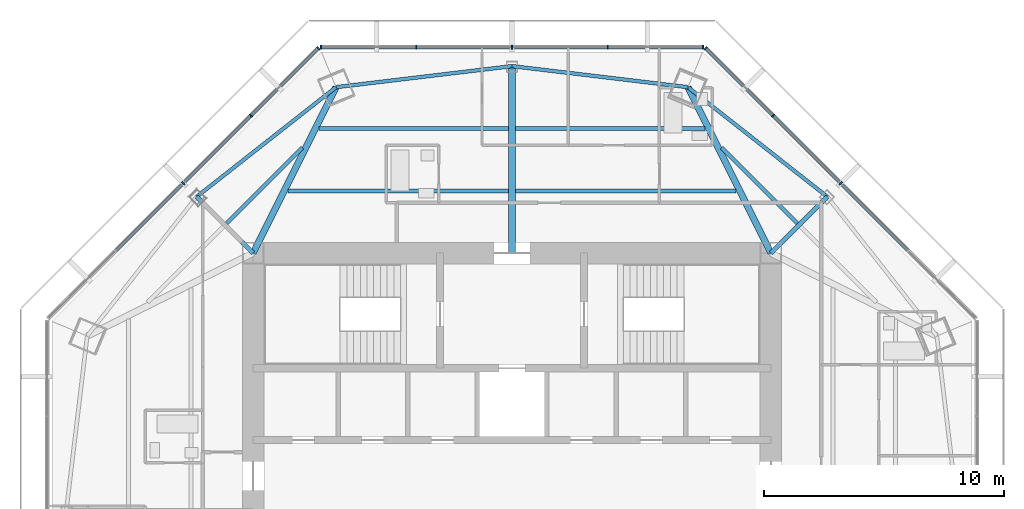
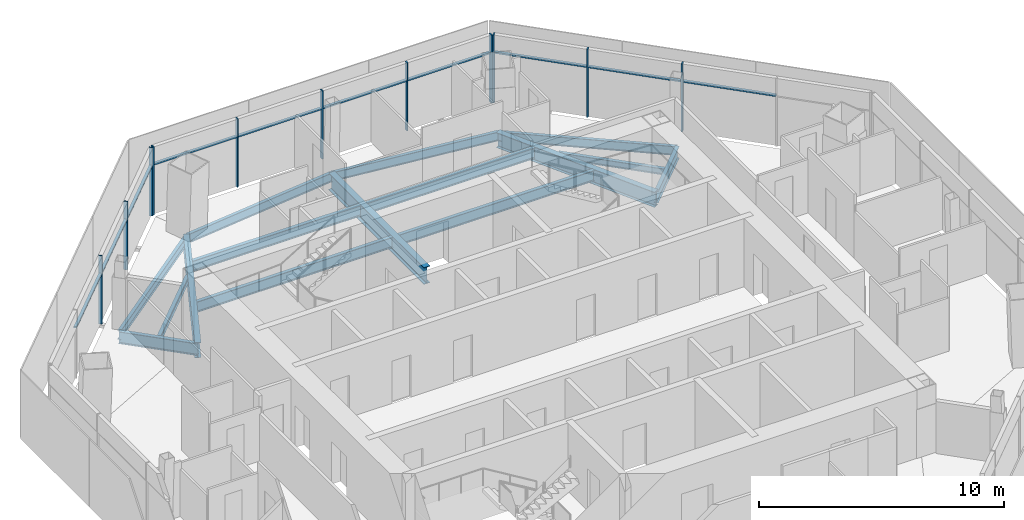
# One storey, part 6 of 15: 21 members, 15 beams, 3 elements without a shape of their own.
"""IFC4 building model written with IfcOpenShell, lengths in metres."""

from ifc_helpers import new_model, si_unit, direction, frame, origin, origin_2d, place, context, subcontext, project, spatial, rectangle, i_section, extrude, source, transform, mapped, material, material_profile, profile_set, type_object, type_shapes, element, aggregate, save


model = new_model("IFC4")

# Units and contexts
model_context = context("Model", 3, precision=1e-05, world=origin(), true_north=direction((0.0, 1.0)))
body_context = subcontext(model_context, "Body", "Model", "MODEL_VIEW")
ifc_project = project(units=[si_unit("LENGTHUNIT", "METRE"), si_unit("AREAUNIT", "SQUARE_METRE"), si_unit("VOLUMEUNIT", "CUBIC_METRE"), si_unit("PLANEANGLEUNIT", "RADIAN"), si_unit("MASSUNIT", "GRAM", prefix="KILO")], contexts=[model_context])

# Site, building, storey
site_placement = place(None, origin())
site = spatial("IfcSite", under=ifc_project, at=site_placement, CompositionType="ELEMENT")
building_placement = place(site_placement, origin())
building = spatial("IfcBuilding", under=site, at=building_placement, Name="Mashrafa Tower", CompositionType="ELEMENT")
storey_placement = place(building_placement, frame((0.0, 0.0, 304.800048828125)))
storey = spatial("IfcBuildingStorey", under=building, at=storey_placement, Name="L75", CompositionType="ELEMENT", Elevation=304.800048828125)

# Beams
ifc_material_1 = material(Name="Steel ASTM A992", Category="steel")
ifc_material_profile_1 = material_profile(ifc_material_1, i_section(OverallWidth=0.164794921875, OverallDepth=0.309814453125, WebThickness=0.005859375, FlangeThickness=0.009765625, FilletRadius=0.007568359375, at=origin_2d()), Name="W12X26")
ifc_profile_set_1 = profile_set([ifc_material_profile_1], Name="Steel ASTM A992")
beam_type_1 = type_object("IfcBeamType", Name="Beam W12X26", PredefinedType="BEAM", material=ifc_profile_set_1)
for number, where, z_axis, x_axis, name in (
    (1, (-11.912353515625, 12.038330078125, -0.35498046875), (0.707079511879, 0.707134049443, 0.0), (-0.707134049443, 0.707079511879, 0.0), "Floor beam L75 007"),
    (2, (8.7470703125, 15.203857421875, -0.35498046875), (0.707079511879, -0.707134049443, 0.0), (0.707134049443, 0.707079511879, 0.0), "Floor beam L75 016"),
):
    element("IfcBeam", number, at=place(storey_placement, frame(where, z_axis=z_axis, x_axis=x_axis)), inside=storey, type_object=beam_type_1, Name=name, PredefinedType="BEAM", context=body_context, shape_type="SweptSolid", body=[
        extrude(i_section(OverallWidth=0.164794921875, OverallDepth=0.309814453125, WebThickness=0.005859375, FlangeThickness=0.009765625, FilletRadius=0.007568359375, at=origin_2d()), origin(), (0.0, 0.0, 1.0), 4.4765625),
    ])
ifc_material_2 = material(Name="Steel ASTM A992", Category="steel")
ifc_material_profile_2 = material_profile(ifc_material_2, i_section(OverallWidth=0.15234375, OverallDepth=0.449462890625, WebThickness=0.007568359375, FlangeThickness=0.0107421875, FilletRadius=0.01025390625, at=origin_2d()), Name="W18X35")
ifc_profile_set_2 = profile_set([ifc_material_profile_2], Name="Steel ASTM A992")
beam_type_2 = type_object("IfcBeamType", Name="Beam W18X35", PredefinedType="BEAM", material=ifc_profile_set_2)
for number, where, z_axis, x_axis, name in (
    (3, (-7.33984375, 17.7197265625, -0.4248046875), (-0.786118883034, -0.61807532044, 0.0), (0.61807532044, -0.786118883034, 0.0), "Spandrel beam L75 047"),
    (4, (0.0, 18.597900390625, -0.4248046875), (-0.99291850392, -0.118797493966, 0.0), (0.118797493966, -0.99291850392, 0.0), "Spandrel beam L75 049"),
    (5, (7.33984375, 17.7197265625, -0.4248046875), (-0.99291850392, 0.118797493966, 0.0), (-0.118797493966, -0.99291850392, 0.0), "Spandrel beam L75 051"),
    (6, (13.15087890625, 13.15087890625, -0.4248046875), (-0.786118883034, 0.61807532044, 0.0), (-0.61807532044, -0.786118883034, 0.0), "Spandrel beam L75 053"),
):
    element("IfcBeam", number, at=place(storey_placement, frame(where, z_axis=z_axis, x_axis=x_axis)), inside=storey, type_object=beam_type_2, Name=name, PredefinedType="BEAM", context=body_context, shape_type="SweptSolid", body=[
        extrude(i_section(OverallWidth=0.15234375, OverallDepth=0.449462890625, WebThickness=0.007568359375, FlangeThickness=0.0107421875, FilletRadius=0.01025390625, at=origin_2d()), origin(), (0.0, 0.0, 1.0), 7.39208984375),
    ])
ifc_material_3 = material(Name="Steel ASTM A992", Category="steel")
ifc_material_profile_3 = material_profile(ifc_material_3, i_section(OverallWidth=0.165771484375, OverallDepth=0.5283203125, WebThickness=0.009765625, FlangeThickness=0.013671875, FilletRadius=0.012939453125, at=origin_2d()), Name="W21X50")
ifc_profile_set_3 = profile_set([ifc_material_profile_3], Name="Steel ASTM A992")
beam_type_3 = type_object("IfcBeamType", Name="Beam W21X50", PredefinedType="BEAM", material=ifc_profile_set_3)
beam_1_placement = place(storey_placement, frame((-9.35107421875, 13.3994140625, -0.464111328125), z_axis=(1.0, 0.0, 0.0), x_axis=(0.0, 1.0, 0.0)))
element("IfcBeam", 7, at=beam_1_placement, inside=storey, type_object=beam_type_3, Name="Floor beam L75 008", PredefinedType="BEAM", context=body_context, shape_type="SweptSolid", body=[
    extrude(i_section(OverallWidth=0.165771484375, OverallDepth=0.5283203125, WebThickness=0.009765625, FlangeThickness=0.013671875, FilletRadius=0.012939453125, at=origin_2d()), origin(), (0.0, 0.0, 1.0), 9.205078125),
])
beam_2_placement = place(storey_placement, frame((-8.05126953125, 15.998779296875, -0.464111328125), z_axis=(1.0, 0.0, 0.0), x_axis=(0.0, 1.0, 0.0)))
element("IfcBeam", 8, at=beam_2_placement, inside=storey, type_object=beam_type_3, Name="Floor beam L75 010", PredefinedType="BEAM", context=body_context, shape_type="SweptSolid", body=[
    extrude(i_section(OverallWidth=0.165771484375, OverallDepth=0.5283203125, WebThickness=0.009765625, FlangeThickness=0.013671875, FilletRadius=0.012939453125, at=origin_2d()), origin(), (0.0, 0.0, 1.0), 7.9052734375),
])
beam_3_placement = place(storey_placement, frame((0.14599609375, 13.3994140625, -0.464111328125), z_axis=(1.0, 0.0, 0.0), x_axis=(0.0, 1.0, 0.0)))
element("IfcBeam", 9, at=beam_3_placement, inside=storey, type_object=beam_type_3, Name="Floor beam L75 013", PredefinedType="BEAM", context=body_context, shape_type="SweptSolid", body=[
    extrude(i_section(OverallWidth=0.165771484375, OverallDepth=0.5283203125, WebThickness=0.009765625, FlangeThickness=0.013671875, FilletRadius=0.012939453125, at=origin_2d()), origin(), (0.0, 0.0, 1.0), 9.205078125),
])
beam_4_placement = place(storey_placement, frame((0.14599609375, 15.998779296875, -0.464111328125), z_axis=(1.0, 0.0, 0.0), x_axis=(0.0, 1.0, 0.0)))
element("IfcBeam", 10, at=beam_4_placement, inside=storey, type_object=beam_type_3, Name="Floor beam L75 014", PredefinedType="BEAM", context=body_context, shape_type="SweptSolid", body=[
    extrude(i_section(OverallWidth=0.165771484375, OverallDepth=0.5283203125, WebThickness=0.009765625, FlangeThickness=0.013671875, FilletRadius=0.012939453125, at=origin_2d()), origin(), (0.0, 0.0, 1.0), 7.9052734375),
])
ifc_material_4 = material(Name="Steel ASTM A992", Category="steel")
ifc_material_profile_4 = material_profile(ifc_material_4, i_section(OverallWidth=0.177978515625, OverallDepth=0.599365234375, WebThickness=0.010009765625, FlangeThickness=0.012939453125, FilletRadius=0.012939453125, at=origin_2d()), Name="W24X55")
ifc_profile_set_4 = profile_set([ifc_material_profile_4], Name="Steel ASTM A992")
beam_type_4 = type_object("IfcBeamType", Name="Beam W24X55", PredefinedType="BEAM", material=ifc_profile_set_4)
for number, where, z_axis, x_axis, name in (
    (11, (-10.800048828125, 10.800048828125, -0.499755859375), (-0.707106781187, 0.707106781187, 0.0), (-0.707106781187, -0.707106781187, 0.0), "Radial girder L75 030"),
    (12, (10.800048828125, 10.800048828125, -0.499755859375), (0.707106781187, 0.707106781187, 0.0), (-0.707106781187, 0.707106781187, 0.0), "Radial girder L75 039"),
):
    element("IfcBeam", number, at=place(storey_placement, frame(where, z_axis=z_axis, x_axis=x_axis)), inside=storey, type_object=beam_type_4, Name=name, PredefinedType="BEAM", context=body_context, shape_type="SweptSolid", body=[
        extrude(i_section(OverallWidth=0.177978515625, OverallDepth=0.599365234375, WebThickness=0.010009765625, FlangeThickness=0.012939453125, FilletRadius=0.012939453125, at=origin_2d()), origin(), (0.0, 0.0, 1.0), 3.324462890625),
    ])
ifc_material_5 = material(Name="Steel ASTM A992", Category="steel")
ifc_material_profile_5 = material_profile(ifc_material_5, i_section(OverallWidth=0.2666015625, OverallDepth=0.75439453125, WebThickness=0.01318359375, FlangeThickness=0.01708984375, FilletRadius=0.0166015625, at=origin_2d()), Name="W30X99")
ifc_profile_set_5 = profile_set([ifc_material_profile_5], Name="Steel ASTM A992")
beam_type_5 = type_object("IfcBeamType", Name="Beam W30X99", PredefinedType="BEAM", material=ifc_profile_set_5)
for number, where, z_axis, x_axis, name in (
    (13, (-10.800048828125, 10.800048828125, -0.5771484375), (0.447251463, 0.894408256248, 0.0), (-0.894408256248, 0.447251463, 0.0), "Radial girder L75 031"),
    (14, (10.800048828125, 10.800048828125, -0.5771484375), (-0.447251463, 0.894408256248, 0.0), (-0.894408256248, -0.447251463, 0.0), "Radial girder L75 038"),
):
    element("IfcBeam", number, at=place(storey_placement, frame(where, z_axis=z_axis, x_axis=x_axis)), inside=storey, type_object=beam_type_5, Name=name, PredefinedType="BEAM", context=body_context, shape_type="SweptSolid", body=[
        extrude(i_section(OverallWidth=0.2666015625, OverallDepth=0.75439453125, WebThickness=0.01318359375, FlangeThickness=0.01708984375, FilletRadius=0.0166015625, at=origin_2d()), origin(), (0.0, 0.0, 1.0), 7.736572265625),
    ])
ifc_material_6 = material(Name="Steel ASTM A992", Category="steel")
ifc_material_profile_6 = material_profile(ifc_material_6, i_section(OverallWidth=0.2919921875, OverallDepth=0.8408203125, WebThickness=0.0146484375, FlangeThickness=0.021728515625, FilletRadius=0.017333984375, at=origin_2d()), Name="W33X130")
ifc_profile_set_6 = profile_set([ifc_material_profile_6], Name="Steel ASTM A992")
beam_type_6 = type_object("IfcBeamType", Name="Beam W33X130", PredefinedType="BEAM", material=ifc_profile_set_6)
beam_5_placement = place(storey_placement, frame((0.0, 10.800048828125, -0.620361328125), z_axis=(0.0, 1.0, 0.0), x_axis=(-1.0, 0.0, 0.0)))
element("IfcBeam", 15, at=beam_5_placement, inside=storey, type_object=beam_type_6, Name="Radial girder L75 033", PredefinedType="BEAM", context=body_context, shape_type="SweptSolid", body=[
    extrude(i_section(OverallWidth=0.2919921875, OverallDepth=0.8408203125, WebThickness=0.0146484375, FlangeThickness=0.021728515625, FilletRadius=0.017333984375, at=origin_2d()), origin(), (0.0, 0.0, 1.0), 7.7978515625),
])

# Curtain wall, members
ifc_material_7 = material(Name="Unitised aluminium curtain wall", Category="aluminium")
curtain_wall_type = type_object("IfcCurtainWallType", Name="Apartment curtain wall, zone 4 CW-D 160 deep", PredefinedType="NOTDEFINED", material=ifc_material_7)
curtain_wall_1_placement = place(storey_placement, origin())
curtain_wall_1 = element("IfcCurtainWall", 16, at=curtain_wall_1_placement, inside=storey, type_object=curtain_wall_type, Name="Apartment curtain wall, zone 4 L75 north-east", PredefinedType="NOTDEFINED")
ifc_material_8 = material(Name="Extruded aluminium mullion", Category="aluminium")
ifc_material_profile_7 = material_profile(ifc_material_8, rectangle(XDim=0.159912109375, YDim=0.06005859375, at=origin_2d()), Name="Mullion 60x160")
ifc_profile_set_7 = profile_set([ifc_material_profile_7], Name="Extruded aluminium mullion")
member_type_1 = type_object("IfcMemberType", Name="Mullion CW-D 60 x 160", PredefinedType="MULLION", material=ifc_profile_set_7)
shared_shape_1 = source(origin(), body_context, "Body", "SweptSolid", [
    extrude(rectangle(XDim=0.159912109375, YDim=0.06005859375, at=origin_2d()), origin(), (0.0, 0.0, 1.0), 3.39990234375),
])
type_shapes(member_type_1, [shared_shape_1])
member_1_placement = place(storey_placement, frame((13.71240234375, 13.71240234375, 0.0), z_axis=(0.0, 0.0, 1.0), x_axis=(-0.707106781187, -0.707106781187, 0.0)))
member_1 = element("IfcMember", 17, at=member_1_placement, type_object=member_type_1, Name="CW-D mullion 3", PredefinedType="MULLION", context=body_context, shape_type="MappedRepresentation", body=[
    mapped(shared_shape_1, transform((0.0, 0.0, 0.0))),
])
member_2_placement = place(storey_placement, frame((10.8876953125, 16.537109375, 0.0), z_axis=(0.0, 0.0, 1.0), x_axis=(-0.707106781187, -0.707106781187, 0.0)))
member_2 = element("IfcMember", 18, at=member_2_placement, type_object=member_type_1, Name="CW-D mullion 4", PredefinedType="MULLION", context=body_context, shape_type="MappedRepresentation", body=[
    mapped(shared_shape_1, transform((0.0, 0.0, 0.0))),
])
member_3_placement = place(storey_placement, frame((8.084228515625, 19.340576171875, 0.0), z_axis=(0.0, 0.0, 1.0), x_axis=(-0.707106781187, -0.707106781187, 0.0)))
member_3 = element("IfcMember", 19, at=member_3_placement, type_object=member_type_1, Name="CW-D mullion 5", PredefinedType="MULLION", context=body_context, shape_type="MappedRepresentation", body=[
    mapped(shared_shape_1, transform((0.0, 0.0, 0.0))),
])

curtain_wall_2_placement = place(storey_placement, origin())
curtain_wall_2 = element("IfcCurtainWall", 20, at=curtain_wall_2_placement, inside=storey, type_object=curtain_wall_type, Name="Apartment curtain wall, zone 4 L75 north", PredefinedType="NOTDEFINED")
member_4_placement = place(storey_placement, frame((7.95947265625, 19.392333984375, 0.0), z_axis=(0.0, 0.0, 1.0), x_axis=(0.0, -1.0, 0.0)))
member_4 = element("IfcMember", 21, at=member_4_placement, type_object=member_type_1, Name="CW-D mullion 1", PredefinedType="MULLION", context=body_context, shape_type="MappedRepresentation", body=[
    mapped(shared_shape_1, transform((0.0, 0.0, 0.0))),
])
member_5_placement = place(storey_placement, frame((3.99462890625, 19.392333984375, 0.0), z_axis=(0.0, 0.0, 1.0), x_axis=(0.0, -1.0, 0.0)))
member_5 = element("IfcMember", 22, at=member_5_placement, type_object=member_type_1, Name="CW-D mullion 2", PredefinedType="MULLION", context=body_context, shape_type="MappedRepresentation", body=[
    mapped(shared_shape_1, transform((0.0, 0.0, 0.0))),
])
member_6_placement = place(storey_placement, frame((0.0, 19.392333984375, 0.0), z_axis=(0.0, 0.0, 1.0), x_axis=(0.0, -1.0, 0.0)))
member_6 = element("IfcMember", 23, at=member_6_placement, type_object=member_type_1, Name="CW-D mullion 3", PredefinedType="MULLION", context=body_context, shape_type="MappedRepresentation", body=[
    mapped(shared_shape_1, transform((0.0, 0.0, 0.0))),
])
member_7_placement = place(storey_placement, frame((-3.99462890625, 19.392333984375, 0.0), z_axis=(0.0, 0.0, 1.0), x_axis=(0.0, -1.0, 0.0)))
member_7 = element("IfcMember", 24, at=member_7_placement, type_object=member_type_1, Name="CW-D mullion 4", PredefinedType="MULLION", context=body_context, shape_type="MappedRepresentation", body=[
    mapped(shared_shape_1, transform((0.0, 0.0, 0.0))),
])
member_8_placement = place(storey_placement, frame((-7.95947265625, 19.392333984375, 0.0), z_axis=(0.0, 0.0, 1.0), x_axis=(0.0, -1.0, 0.0)))
member_8 = element("IfcMember", 25, at=member_8_placement, type_object=member_type_1, Name="CW-D mullion 5", PredefinedType="MULLION", context=body_context, shape_type="MappedRepresentation", body=[
    mapped(shared_shape_1, transform((0.0, 0.0, 0.0))),
])

curtain_wall_3_placement = place(storey_placement, origin())
curtain_wall_3 = element("IfcCurtainWall", 26, at=curtain_wall_3_placement, inside=storey, type_object=curtain_wall_type, Name="Apartment curtain wall, zone 4 L75 north-west", PredefinedType="NOTDEFINED")
member_9_placement = place(storey_placement, frame((-8.084228515625, 19.340576171875, 0.0), z_axis=(0.0, 0.0, 1.0), x_axis=(0.707106781187, -0.707106781187, 0.0)))
member_9 = element("IfcMember", 27, at=member_9_placement, type_object=member_type_1, Name="CW-D mullion 1", PredefinedType="MULLION", context=body_context, shape_type="MappedRepresentation", body=[
    mapped(shared_shape_1, transform((0.0, 0.0, 0.0))),
])
member_10_placement = place(storey_placement, frame((-10.8876953125, 16.537109375, 0.0), z_axis=(0.0, 0.0, 1.0), x_axis=(0.707106781187, -0.707106781187, 0.0)))
member_10 = element("IfcMember", 28, at=member_10_placement, type_object=member_type_1, Name="CW-D mullion 2", PredefinedType="MULLION", context=body_context, shape_type="MappedRepresentation", body=[
    mapped(shared_shape_1, transform((0.0, 0.0, 0.0))),
])
member_11_placement = place(storey_placement, frame((-13.71240234375, 13.71240234375, 0.0), z_axis=(0.0, 0.0, 1.0), x_axis=(0.707106781187, -0.707106781187, 0.0)))
member_11 = element("IfcMember", 29, at=member_11_placement, type_object=member_type_1, Name="CW-D mullion 3", PredefinedType="MULLION", context=body_context, shape_type="MappedRepresentation", body=[
    mapped(shared_shape_1, transform((0.0, 0.0, 0.0))),
])

# Member
ifc_material_9 = material(Name="Extruded aluminium transom", Category="aluminium")
ifc_material_profile_8 = material_profile(ifc_material_9, rectangle(XDim=0.1279296875, YDim=0.074951171875, at=origin_2d()), Name="Transom 75x128")
ifc_profile_set_8 = profile_set([ifc_material_profile_8], Name="Extruded aluminium transom")
member_type_2 = type_object("IfcMemberType", Name="Transom CW-D 75 x 128", PredefinedType="MULLION", material=ifc_profile_set_8)
shared_shape_2 = source(origin(), body_context, "Body", "SweptSolid", [
    extrude(rectangle(XDim=0.1279296875, YDim=0.074951171875, at=origin_2d()), origin(), (0.0, 0.0, 1.0), 3.90478515625),
])
member_12_placement = place(storey_placement, frame((7.929443359375, 19.392333984375, 2.5), z_axis=(-1.0, 0.0, 0.0), x_axis=(0.0, -1.0, 0.0)))
member_12 = element("IfcMember", 30, at=member_12_placement, type_object=member_type_2, Name="CW-D transom 1", PredefinedType="MULLION", context=body_context, shape_type="MappedRepresentation", body=[
    mapped(shared_shape_2, transform((0.0, 0.0, 0.0))),
])

member_13_placement = place(storey_placement, frame((-4.024658203125, 19.392333984375, 2.5), z_axis=(-1.0, 0.0, 0.0), x_axis=(0.0, -1.0, 0.0)))
member_13 = element("IfcMember", 31, at=member_13_placement, type_object=member_type_2, Name="CW-D transom 4", PredefinedType="MULLION", context=body_context, shape_type="MappedRepresentation", body=[
    mapped(shared_shape_2, transform((0.0, 0.0, 0.0))),
])

shared_shape_3 = source(origin(), body_context, "Body", "SweptSolid", [
    extrude(rectangle(XDim=0.1279296875, YDim=0.074951171875, at=origin_2d()), origin(), (0.0, 0.0, 1.0), 3.9345703125),
])
member_14_placement = place(storey_placement, frame((16.515869140625, 10.908935546875, 2.5), z_axis=(-0.707106781187, 0.707106781187, 0.0), x_axis=(-0.707106781187, -0.707106781187, 0.0)))
member_14 = element("IfcMember", 32, at=member_14_placement, type_object=member_type_2, Name="CW-D transom 2", PredefinedType="MULLION", context=body_context, shape_type="MappedRepresentation", body=[
    mapped(shared_shape_3, transform((0.0, 0.0, 0.0))),
])

member_15_placement = place(storey_placement, frame((13.691162109375, 13.733642578125, 2.5), z_axis=(-0.707106781187, 0.707106781187, 0.0), x_axis=(-0.707106781187, -0.707106781187, 0.0)))
member_15 = element("IfcMember", 33, at=member_15_placement, type_object=member_type_2, Name="CW-D transom 3", PredefinedType="MULLION", context=body_context, shape_type="MappedRepresentation", body=[
    mapped(shared_shape_3, transform((0.0, 0.0, 0.0))),
])

member_16_placement = place(storey_placement, frame((3.964599609375, 19.392333984375, 2.5), z_axis=(-1.0, 0.0, 0.0), x_axis=(0.0, -1.0, 0.0)))
member_16 = element("IfcMember", 34, at=member_16_placement, type_object=member_type_2, Name="CW-D transom 2", PredefinedType="MULLION", context=body_context, shape_type="MappedRepresentation", body=[
    mapped(shared_shape_3, transform((0.0, 0.0, 0.0))),
])

member_17_placement = place(storey_placement, frame((-0.030029296875, 19.392333984375, 2.5), z_axis=(-1.0, 0.0, 0.0), x_axis=(0.0, -1.0, 0.0)))
member_17 = element("IfcMember", 35, at=member_17_placement, type_object=member_type_2, Name="CW-D transom 3", PredefinedType="MULLION", context=body_context, shape_type="MappedRepresentation", body=[
    mapped(shared_shape_3, transform((0.0, 0.0, 0.0))),
])

aggregate(curtain_wall_2, [member_4, member_5, member_6, member_7, member_8, member_12, member_16, member_17, member_13])

member_18_placement = place(storey_placement, frame((-10.908935546875, 16.515869140625, 2.5), z_axis=(-0.707106781187, -0.707106781187, 0.0), x_axis=(0.707106781187, -0.707106781187, 0.0)))
member_18 = element("IfcMember", 36, at=member_18_placement, type_object=member_type_2, Name="CW-D transom 2", PredefinedType="MULLION", context=body_context, shape_type="MappedRepresentation", body=[
    mapped(shared_shape_3, transform((0.0, 0.0, 0.0))),
])

member_19_placement = place(storey_placement, frame((-13.733642578125, 13.691162109375, 2.5), z_axis=(-0.707106781187, -0.707106781187, 0.0), x_axis=(0.707106781187, -0.707106781187, 0.0)))
member_19 = element("IfcMember", 37, at=member_19_placement, type_object=member_type_2, Name="CW-D transom 3", PredefinedType="MULLION", context=body_context, shape_type="MappedRepresentation", body=[
    mapped(shared_shape_3, transform((0.0, 0.0, 0.0))),
])

shared_shape_4 = source(origin(), body_context, "Body", "SweptSolid", [
    extrude(rectangle(XDim=0.1279296875, YDim=0.074951171875, at=origin_2d()), origin(), (0.0, 0.0, 1.0), 3.904541015625),
])
type_shapes(member_type_2, [shared_shape_2, shared_shape_3, shared_shape_4])
member_20_placement = place(storey_placement, frame((10.866455078125, 16.558349609375, 2.5), z_axis=(-0.707106781187, 0.707106781187, 0.0), x_axis=(-0.707106781187, -0.707106781187, 0.0)))
member_20 = element("IfcMember", 38, at=member_20_placement, type_object=member_type_2, Name="CW-D transom 4", PredefinedType="MULLION", context=body_context, shape_type="MappedRepresentation", body=[
    mapped(shared_shape_4, transform((0.0, 0.0, 0.0))),
])

aggregate(curtain_wall_1, [member_1, member_2, member_3, member_14, member_15, member_20])

member_21_placement = place(storey_placement, frame((-8.10546875, 19.3193359375, 2.5), z_axis=(-0.707106781187, -0.707106781187, 0.0), x_axis=(0.707106781187, -0.707106781187, 0.0)))
member_21 = element("IfcMember", 39, at=member_21_placement, type_object=member_type_2, Name="CW-D transom 1", PredefinedType="MULLION", context=body_context, shape_type="MappedRepresentation", body=[
    mapped(shared_shape_4, transform((0.0, 0.0, 0.0))),
])

aggregate(curtain_wall_3, [member_9, member_10, member_11, member_21, member_18, member_19])

save(model, "model.ifc")
